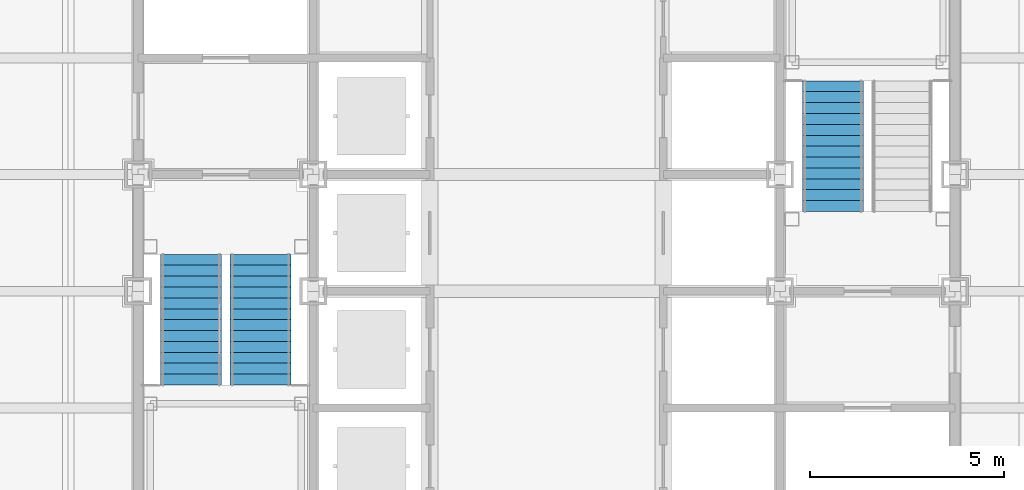
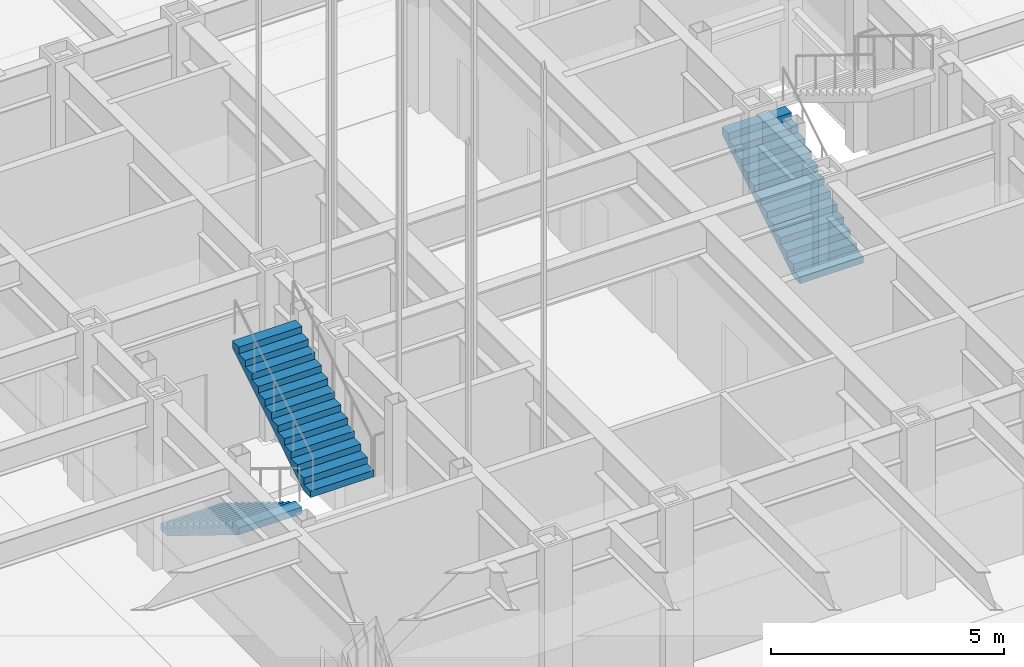
# One storey, part 13 of 26: 3 stair flights, 2 elements without a shape of their own.
"""IFC4 building model written with IfcOpenShell, lengths in metres."""

from ifc_helpers import new_model, si_unit, direction, frame, origin, place, context, subcontext, project, spatial, faceted_brep, material, type_object, element, aggregate, save


model = new_model("IFC4")

# Units and contexts
model_context = context("Model", 3, precision=1e-05, world=origin(), true_north=direction((0.0, 1.0)))
body_context = subcontext(model_context, "Body", "Model", "MODEL_VIEW")
ifc_project = project(units=[si_unit("LENGTHUNIT", "METRE"), si_unit("AREAUNIT", "SQUARE_METRE"), si_unit("VOLUMEUNIT", "CUBIC_METRE"), si_unit("PLANEANGLEUNIT", "RADIAN"), si_unit("MASSUNIT", "GRAM", prefix="KILO")], contexts=[model_context])

# Site, building, storey
site_placement = place(None, origin())
site = spatial("IfcSite", under=ifc_project, at=site_placement, CompositionType="ELEMENT")
building_placement = place(site_placement, origin())
building = spatial("IfcBuilding", under=site, at=building_placement, Name="Chuquiago Exchange Tower", CompositionType="ELEMENT")
storey_placement = place(building_placement, frame((0.0, 0.0, 102.300048828125)))
storey = spatial("IfcBuildingStorey", under=building, at=storey_placement, Name="L21", CompositionType="ELEMENT", Elevation=102.300048828125)

# Stair, stair flights
ifc_material_1 = material(Name="Concrete C30/37, precast", Category="concrete")
stair_type_1 = type_object("IfcStairType", Name="ST1 half-turn stair 4500", PredefinedType="HALF_TURN_STAIR", material=ifc_material_1)
stair_1_placement = place(storey_placement, origin())
stair_1 = element("IfcStair", 1, at=stair_1_placement, inside=storey, type_object=stair_type_1, Name="Stair ST1 L21", PredefinedType="HALF_TURN_STAIR")
ifc_material_2 = material(Name="Concrete C30/37, precast", Category="concrete")
stair_flight_type = type_object("IfcStairFlightType", Name="ST-F flight 1570 for 4500 storey", PredefinedType="STRAIGHT", material=ifc_material_2)
stair_flight_1_placement = place(storey_placement, frame((13.360107421875, 21.949951171875, 0.0), z_axis=(0.0, 0.0, 1.0), x_axis=(0.0, -1.0, 0.0)))
stair_flight_1 = element("IfcStairFlight", 2, at=stair_flight_1_placement, type_object=stair_flight_type, Name="ST1 flight 1", NumberOfRisers=13, NumberOfTreads=12, PredefinedType="STRAIGHT", RiserHeight=0.173076923, TreadLength=0.28, context=body_context, shape_type="Brep", body=[
    faceted_brep([(0.0, 0.78515625, 0.0), (0.0, 0.78515625, 0.173095703125), (0.280029296875, 0.78515625, 0.173095703125), (0.280029296875, 0.78515625, 0.34619140625), (0.56005859375, 0.78515625, 0.34619140625), (0.56005859375, 0.78515625, 0.519287109375), (0.840087890625, 0.78515625, 0.519287109375), (0.840087890625, 0.78515625, 0.6923828125), (1.1201171875, 0.78515625, 0.6923828125), (1.1201171875, 0.78515625, 0.865478515625), (1.39990234375, 0.78515625, 0.865478515625), (1.39990234375, 0.78515625, 1.03857421875), (1.679931640625, 0.78515625, 1.03857421875), (1.679931640625, 0.78515625, 1.21142578125), (1.9599609375, 0.78515625, 1.21142578125), (1.9599609375, 0.78515625, 1.384521484375), (2.239990234375, 0.78515625, 1.384521484375), (2.239990234375, 0.78515625, 1.5576171875), (2.52001953125, 0.78515625, 1.5576171875), (2.52001953125, 0.78515625, 1.730712890625), (2.800048828125, 0.78515625, 1.730712890625), (2.800048828125, 0.78515625, 1.90380859375), (3.080078125, 0.78515625, 1.90380859375), (3.080078125, 0.78515625, 2.076904296875), (3.360107421875, 0.78515625, 2.076904296875), (3.360107421875, 0.78515625, 1.900634765625), (0.28515625, 0.78515625, 0.0), (0.28515625, -0.78515625, 0.0), (3.360107421875, -0.78515625, 1.900634765625), (3.360107421875, -0.78515625, 2.076904296875), (3.080078125, -0.78515625, 2.076904296875), (3.080078125, -0.78515625, 1.90380859375), (2.800048828125, -0.78515625, 1.90380859375), (2.800048828125, -0.78515625, 1.730712890625), (2.52001953125, -0.78515625, 1.730712890625), (2.52001953125, -0.78515625, 1.5576171875), (2.239990234375, -0.78515625, 1.5576171875), (2.239990234375, -0.78515625, 1.384521484375), (1.9599609375, -0.78515625, 1.384521484375), (1.9599609375, -0.78515625, 1.21142578125), (1.679931640625, -0.78515625, 1.21142578125), (1.679931640625, -0.78515625, 1.03857421875), (1.39990234375, -0.78515625, 1.03857421875), (1.39990234375, -0.78515625, 0.865478515625), (1.1201171875, -0.78515625, 0.865478515625), (1.1201171875, -0.78515625, 0.6923828125), (0.840087890625, -0.78515625, 0.6923828125), (0.840087890625, -0.78515625, 0.519287109375), (0.56005859375, -0.78515625, 0.519287109375), (0.56005859375, -0.78515625, 0.34619140625), (0.280029296875, -0.78515625, 0.34619140625), (0.280029296875, -0.78515625, 0.173095703125), (0.0, -0.78515625, 0.173095703125), (0.0, -0.78515625, 0.0), (0.0, 0.392578125, 0.0), (0.0, 0.392578125, 0.173095703125), (0.0, 0.0, 0.0), (0.0, 0.0, 0.173095703125), (0.0, -0.392578125, 0.0), (0.0, -0.392578125, 0.173095703125), (0.280029296875, 0.392578125, 0.173095703125), (0.280029296875, 0.0, 0.173095703125), (0.280029296875, -0.392578125, 0.173095703125), (0.280029296875, 0.392578125, 0.34619140625), (0.280029296875, 0.0, 0.34619140625), (0.280029296875, -0.392578125, 0.34619140625), (0.56005859375, 0.392578125, 0.34619140625), (0.56005859375, 0.0, 0.34619140625), (0.56005859375, -0.392578125, 0.34619140625), (0.56005859375, 0.392578125, 0.519287109375), (0.56005859375, 0.0, 0.519287109375), (0.56005859375, -0.392578125, 0.519287109375), (0.840087890625, 0.392578125, 0.519287109375), (0.840087890625, 0.0, 0.519287109375), (0.840087890625, -0.392578125, 0.519287109375), (0.840087890625, 0.392578125, 0.6923828125), (0.840087890625, 0.0, 0.6923828125), (0.840087890625, -0.392578125, 0.6923828125), (1.1201171875, 0.392578125, 0.6923828125), (1.1201171875, 0.0, 0.6923828125), (1.1201171875, -0.392578125, 0.6923828125), (1.1201171875, 0.392578125, 0.865478515625), (1.1201171875, 0.0, 0.865478515625), (1.1201171875, -0.392578125, 0.865478515625), (1.39990234375, 0.392578125, 0.865478515625), (1.39990234375, 0.0, 0.865478515625), (1.39990234375, -0.392578125, 0.865478515625), (1.39990234375, 0.392578125, 1.03857421875), (1.39990234375, 0.0, 1.03857421875), (1.39990234375, -0.392578125, 1.03857421875), (1.679931640625, 0.392578125, 1.03857421875), (1.679931640625, 0.0, 1.03857421875), (1.679931640625, -0.392578125, 1.03857421875), (1.679931640625, 0.392578125, 1.21142578125), (1.679931640625, 0.0, 1.21142578125), (1.679931640625, -0.392578125, 1.21142578125), (1.9599609375, 0.392578125, 1.21142578125), (1.9599609375, 0.0, 1.21142578125), (1.9599609375, -0.392578125, 1.21142578125), (1.9599609375, 0.392578125, 1.384521484375), (1.9599609375, 0.0, 1.384521484375), (1.9599609375, -0.392578125, 1.384521484375), (2.239990234375, 0.392578125, 1.384521484375), (2.239990234375, 0.0, 1.384521484375), (2.239990234375, -0.392578125, 1.384521484375), (2.239990234375, 0.392578125, 1.5576171875), (2.239990234375, 0.0, 1.5576171875), (2.239990234375, -0.392578125, 1.5576171875), (2.52001953125, 0.392578125, 1.5576171875), (2.52001953125, 0.0, 1.5576171875), (2.52001953125, -0.392578125, 1.5576171875), (2.52001953125, 0.392578125, 1.730712890625), (2.52001953125, 0.0, 1.730712890625), (2.52001953125, -0.392578125, 1.730712890625), (2.800048828125, 0.392578125, 1.730712890625), (2.800048828125, 0.0, 1.730712890625), (2.800048828125, -0.392578125, 1.730712890625), (2.800048828125, 0.392578125, 1.90380859375), (2.800048828125, 0.0, 1.90380859375), (2.800048828125, -0.392578125, 1.90380859375), (3.080078125, 0.392578125, 1.90380859375), (3.080078125, 0.0, 1.90380859375), (3.080078125, -0.392578125, 1.90380859375), (3.080078125, 0.392578125, 2.076904296875), (3.080078125, 0.0, 2.076904296875), (3.080078125, -0.392578125, 2.076904296875), (3.360107421875, 0.392578125, 2.076904296875), (3.360107421875, 0.0, 2.076904296875), (3.360107421875, -0.392578125, 2.076904296875), (3.360107421875, 0.392578125, 1.900634765625), (3.360107421875, 0.0, 1.900634765625), (3.360107421875, -0.392578125, 1.900634765625), (0.28515625, 0.392578125, 0.0), (0.28515625, 0.0, 0.0), (0.28515625, -0.392578125, 0.0)], [[[0, 1, 2, 3, 4, 5, 6, 7, 8, 9, 10, 11, 12, 13, 14, 15, 16, 17, 18, 19, 20, 21, 22, 23, 24, 25, 26]], [[27, 28, 29, 30, 31, 32, 33, 34, 35, 36, 37, 38, 39, 40, 41, 42, 43, 44, 45, 46, 47, 48, 49, 50, 51, 52, 53]], [[1, 0, 54, 55]], [[55, 54, 56, 57]], [[57, 56, 58, 59]], [[59, 58, 53, 52]], [[2, 1, 55, 60]], [[60, 55, 57, 61]], [[61, 57, 59, 62]], [[62, 59, 52, 51]], [[3, 2, 60, 63]], [[63, 60, 61, 64]], [[64, 61, 62, 65]], [[65, 62, 51, 50]], [[4, 3, 63, 66]], [[66, 63, 64, 67]], [[67, 64, 65, 68]], [[68, 65, 50, 49]], [[5, 4, 66, 69]], [[69, 66, 67, 70]], [[70, 67, 68, 71]], [[71, 68, 49, 48]], [[6, 5, 69, 72]], [[72, 69, 70, 73]], [[73, 70, 71, 74]], [[74, 71, 48, 47]], [[7, 6, 72, 75]], [[75, 72, 73, 76]], [[76, 73, 74, 77]], [[77, 74, 47, 46]], [[8, 7, 75, 78]], [[78, 75, 76, 79]], [[79, 76, 77, 80]], [[80, 77, 46, 45]], [[9, 8, 78, 81]], [[81, 78, 79, 82]], [[82, 79, 80, 83]], [[83, 80, 45, 44]], [[10, 9, 81, 84]], [[84, 81, 82, 85]], [[85, 82, 83, 86]], [[86, 83, 44, 43]], [[11, 10, 84, 87]], [[87, 84, 85, 88]], [[88, 85, 86, 89]], [[89, 86, 43, 42]], [[12, 11, 87, 90]], [[90, 87, 88, 91]], [[91, 88, 89, 92]], [[92, 89, 42, 41]], [[13, 12, 90, 93]], [[93, 90, 91, 94]], [[94, 91, 92, 95]], [[95, 92, 41, 40]], [[14, 13, 93, 96]], [[96, 93, 94, 97]], [[97, 94, 95, 98]], [[98, 95, 40, 39]], [[15, 14, 96, 99]], [[99, 96, 97, 100]], [[100, 97, 98, 101]], [[101, 98, 39, 38]], [[16, 15, 99, 102]], [[102, 99, 100, 103]], [[103, 100, 101, 104]], [[104, 101, 38, 37]], [[17, 16, 102, 105]], [[105, 102, 103, 106]], [[106, 103, 104, 107]], [[107, 104, 37, 36]], [[18, 17, 105, 108]], [[108, 105, 106, 109]], [[109, 106, 107, 110]], [[110, 107, 36, 35]], [[19, 18, 108, 111]], [[111, 108, 109, 112]], [[112, 109, 110, 113]], [[113, 110, 35, 34]], [[20, 19, 111, 114]], [[114, 111, 112, 115]], [[115, 112, 113, 116]], [[116, 113, 34, 33]], [[21, 20, 114, 117]], [[117, 114, 115, 118]], [[118, 115, 116, 119]], [[119, 116, 33, 32]], [[22, 21, 117, 120]], [[120, 117, 118, 121]], [[121, 118, 119, 122]], [[122, 119, 32, 31]], [[23, 22, 120, 123]], [[123, 120, 121, 124]], [[124, 121, 122, 125]], [[125, 122, 31, 30]], [[24, 23, 123, 126]], [[126, 123, 124, 127]], [[127, 124, 125, 128]], [[128, 125, 30, 29]], [[25, 24, 126, 129]], [[129, 126, 127, 130]], [[130, 127, 128, 131]], [[131, 128, 29, 28]], [[26, 25, 129, 132]], [[132, 129, 130, 133]], [[133, 130, 131, 134]], [[134, 131, 28, 27]], [[0, 26, 132, 54]], [[54, 132, 133, 56]], [[56, 133, 134, 58]], [[58, 134, 27, 53]]]),
])
stair_flight_2_placement = place(storey_placement, frame((15.139892578125, 18.590087890625, 2.25), z_axis=(0.0, 0.0, 1.0), x_axis=(0.0, 1.0, 0.0)))
stair_flight_2 = element("IfcStairFlight", 3, at=stair_flight_2_placement, type_object=stair_flight_type, Name="ST1 flight 2", NumberOfRisers=13, NumberOfTreads=12, PredefinedType="STRAIGHT", RiserHeight=0.173076923, TreadLength=0.28, context=body_context, shape_type="Brep", body=[
    faceted_brep([(0.0, 0.78515625, 0.0), (0.0, 0.78515625, 0.173095703125), (0.280029296875, 0.78515625, 0.173095703125), (0.280029296875, 0.78515625, 0.34619140625), (0.56005859375, 0.78515625, 0.34619140625), (0.56005859375, 0.78515625, 0.519287109375), (0.840087890625, 0.78515625, 0.519287109375), (0.840087890625, 0.78515625, 0.6923828125), (1.1201171875, 0.78515625, 0.6923828125), (1.1201171875, 0.78515625, 0.865478515625), (1.39990234375, 0.78515625, 0.865478515625), (1.39990234375, 0.78515625, 1.03857421875), (1.679931640625, 0.78515625, 1.03857421875), (1.679931640625, 0.78515625, 1.21142578125), (1.9599609375, 0.78515625, 1.21142578125), (1.9599609375, 0.78515625, 1.384521484375), (2.239990234375, 0.78515625, 1.384521484375), (2.239990234375, 0.78515625, 1.5576171875), (2.52001953125, 0.78515625, 1.5576171875), (2.52001953125, 0.78515625, 1.730712890625), (2.800048828125, 0.78515625, 1.730712890625), (2.800048828125, 0.78515625, 1.90380859375), (3.080078125, 0.78515625, 1.90380859375), (3.080078125, 0.78515625, 2.076904296875), (3.360107421875, 0.78515625, 2.076904296875), (3.360107421875, 0.78515625, 1.900634765625), (0.28515625, 0.78515625, 0.0), (0.28515625, -0.78515625, 0.0), (3.360107421875, -0.78515625, 1.900634765625), (3.360107421875, -0.78515625, 2.076904296875), (3.080078125, -0.78515625, 2.076904296875), (3.080078125, -0.78515625, 1.90380859375), (2.800048828125, -0.78515625, 1.90380859375), (2.800048828125, -0.78515625, 1.730712890625), (2.52001953125, -0.78515625, 1.730712890625), (2.52001953125, -0.78515625, 1.5576171875), (2.239990234375, -0.78515625, 1.5576171875), (2.239990234375, -0.78515625, 1.384521484375), (1.9599609375, -0.78515625, 1.384521484375), (1.9599609375, -0.78515625, 1.21142578125), (1.679931640625, -0.78515625, 1.21142578125), (1.679931640625, -0.78515625, 1.03857421875), (1.39990234375, -0.78515625, 1.03857421875), (1.39990234375, -0.78515625, 0.865478515625), (1.1201171875, -0.78515625, 0.865478515625), (1.1201171875, -0.78515625, 0.6923828125), (0.840087890625, -0.78515625, 0.6923828125), (0.840087890625, -0.78515625, 0.519287109375), (0.56005859375, -0.78515625, 0.519287109375), (0.56005859375, -0.78515625, 0.34619140625), (0.280029296875, -0.78515625, 0.34619140625), (0.280029296875, -0.78515625, 0.173095703125), (0.0, -0.78515625, 0.173095703125), (0.0, -0.78515625, 0.0), (0.0, 0.392578125, 0.0), (0.0, 0.392578125, 0.173095703125), (0.0, 0.0, 0.0), (0.0, 0.0, 0.173095703125), (0.0, -0.392578125, 0.0), (0.0, -0.392578125, 0.173095703125), (0.280029296875, 0.392578125, 0.173095703125), (0.280029296875, 0.0, 0.173095703125), (0.280029296875, -0.392578125, 0.173095703125), (0.280029296875, 0.392578125, 0.34619140625), (0.280029296875, 0.0, 0.34619140625), (0.280029296875, -0.392578125, 0.34619140625), (0.56005859375, 0.392578125, 0.34619140625), (0.56005859375, 0.0, 0.34619140625), (0.56005859375, -0.392578125, 0.34619140625), (0.56005859375, 0.392578125, 0.519287109375), (0.56005859375, 0.0, 0.519287109375), (0.56005859375, -0.392578125, 0.519287109375), (0.840087890625, 0.392578125, 0.519287109375), (0.840087890625, 0.0, 0.519287109375), (0.840087890625, -0.392578125, 0.519287109375), (0.840087890625, 0.392578125, 0.6923828125), (0.840087890625, 0.0, 0.6923828125), (0.840087890625, -0.392578125, 0.6923828125), (1.1201171875, 0.392578125, 0.6923828125), (1.1201171875, 0.0, 0.6923828125), (1.1201171875, -0.392578125, 0.6923828125), (1.1201171875, 0.392578125, 0.865478515625), (1.1201171875, 0.0, 0.865478515625), (1.1201171875, -0.392578125, 0.865478515625), (1.39990234375, 0.392578125, 0.865478515625), (1.39990234375, 0.0, 0.865478515625), (1.39990234375, -0.392578125, 0.865478515625), (1.39990234375, 0.392578125, 1.03857421875), (1.39990234375, 0.0, 1.03857421875), (1.39990234375, -0.392578125, 1.03857421875), (1.679931640625, 0.392578125, 1.03857421875), (1.679931640625, 0.0, 1.03857421875), (1.679931640625, -0.392578125, 1.03857421875), (1.679931640625, 0.392578125, 1.21142578125), (1.679931640625, 0.0, 1.21142578125), (1.679931640625, -0.392578125, 1.21142578125), (1.9599609375, 0.392578125, 1.21142578125), (1.9599609375, 0.0, 1.21142578125), (1.9599609375, -0.392578125, 1.21142578125), (1.9599609375, 0.392578125, 1.384521484375), (1.9599609375, 0.0, 1.384521484375), (1.9599609375, -0.392578125, 1.384521484375), (2.239990234375, 0.392578125, 1.384521484375), (2.239990234375, 0.0, 1.384521484375), (2.239990234375, -0.392578125, 1.384521484375), (2.239990234375, 0.392578125, 1.5576171875), (2.239990234375, 0.0, 1.5576171875), (2.239990234375, -0.392578125, 1.5576171875), (2.52001953125, 0.392578125, 1.5576171875), (2.52001953125, 0.0, 1.5576171875), (2.52001953125, -0.392578125, 1.5576171875), (2.52001953125, 0.392578125, 1.730712890625), (2.52001953125, 0.0, 1.730712890625), (2.52001953125, -0.392578125, 1.730712890625), (2.800048828125, 0.392578125, 1.730712890625), (2.800048828125, 0.0, 1.730712890625), (2.800048828125, -0.392578125, 1.730712890625), (2.800048828125, 0.392578125, 1.90380859375), (2.800048828125, 0.0, 1.90380859375), (2.800048828125, -0.392578125, 1.90380859375), (3.080078125, 0.392578125, 1.90380859375), (3.080078125, 0.0, 1.90380859375), (3.080078125, -0.392578125, 1.90380859375), (3.080078125, 0.392578125, 2.076904296875), (3.080078125, 0.0, 2.076904296875), (3.080078125, -0.392578125, 2.076904296875), (3.360107421875, 0.392578125, 2.076904296875), (3.360107421875, 0.0, 2.076904296875), (3.360107421875, -0.392578125, 2.076904296875), (3.360107421875, 0.392578125, 1.900634765625), (3.360107421875, 0.0, 1.900634765625), (3.360107421875, -0.392578125, 1.900634765625), (0.28515625, 0.392578125, 0.0), (0.28515625, 0.0, 0.0), (0.28515625, -0.392578125, 0.0)], [[[0, 1, 2, 3, 4, 5, 6, 7, 8, 9, 10, 11, 12, 13, 14, 15, 16, 17, 18, 19, 20, 21, 22, 23, 24, 25, 26]], [[27, 28, 29, 30, 31, 32, 33, 34, 35, 36, 37, 38, 39, 40, 41, 42, 43, 44, 45, 46, 47, 48, 49, 50, 51, 52, 53]], [[1, 0, 54, 55]], [[55, 54, 56, 57]], [[57, 56, 58, 59]], [[59, 58, 53, 52]], [[2, 1, 55, 60]], [[60, 55, 57, 61]], [[61, 57, 59, 62]], [[62, 59, 52, 51]], [[3, 2, 60, 63]], [[63, 60, 61, 64]], [[64, 61, 62, 65]], [[65, 62, 51, 50]], [[4, 3, 63, 66]], [[66, 63, 64, 67]], [[67, 64, 65, 68]], [[68, 65, 50, 49]], [[5, 4, 66, 69]], [[69, 66, 67, 70]], [[70, 67, 68, 71]], [[71, 68, 49, 48]], [[6, 5, 69, 72]], [[72, 69, 70, 73]], [[73, 70, 71, 74]], [[74, 71, 48, 47]], [[7, 6, 72, 75]], [[75, 72, 73, 76]], [[76, 73, 74, 77]], [[77, 74, 47, 46]], [[8, 7, 75, 78]], [[78, 75, 76, 79]], [[79, 76, 77, 80]], [[80, 77, 46, 45]], [[9, 8, 78, 81]], [[81, 78, 79, 82]], [[82, 79, 80, 83]], [[83, 80, 45, 44]], [[10, 9, 81, 84]], [[84, 81, 82, 85]], [[85, 82, 83, 86]], [[86, 83, 44, 43]], [[11, 10, 84, 87]], [[87, 84, 85, 88]], [[88, 85, 86, 89]], [[89, 86, 43, 42]], [[12, 11, 87, 90]], [[90, 87, 88, 91]], [[91, 88, 89, 92]], [[92, 89, 42, 41]], [[13, 12, 90, 93]], [[93, 90, 91, 94]], [[94, 91, 92, 95]], [[95, 92, 41, 40]], [[14, 13, 93, 96]], [[96, 93, 94, 97]], [[97, 94, 95, 98]], [[98, 95, 40, 39]], [[15, 14, 96, 99]], [[99, 96, 97, 100]], [[100, 97, 98, 101]], [[101, 98, 39, 38]], [[16, 15, 99, 102]], [[102, 99, 100, 103]], [[103, 100, 101, 104]], [[104, 101, 38, 37]], [[17, 16, 102, 105]], [[105, 102, 103, 106]], [[106, 103, 104, 107]], [[107, 104, 37, 36]], [[18, 17, 105, 108]], [[108, 105, 106, 109]], [[109, 106, 107, 110]], [[110, 107, 36, 35]], [[19, 18, 108, 111]], [[111, 108, 109, 112]], [[112, 109, 110, 113]], [[113, 110, 35, 34]], [[20, 19, 111, 114]], [[114, 111, 112, 115]], [[115, 112, 113, 116]], [[116, 113, 34, 33]], [[21, 20, 114, 117]], [[117, 114, 115, 118]], [[118, 115, 116, 119]], [[119, 116, 33, 32]], [[22, 21, 117, 120]], [[120, 117, 118, 121]], [[121, 118, 119, 122]], [[122, 119, 32, 31]], [[23, 22, 120, 123]], [[123, 120, 121, 124]], [[124, 121, 122, 125]], [[125, 122, 31, 30]], [[24, 23, 123, 126]], [[126, 123, 124, 127]], [[127, 124, 125, 128]], [[128, 125, 30, 29]], [[25, 24, 126, 129]], [[129, 126, 127, 130]], [[130, 127, 128, 131]], [[131, 128, 29, 28]], [[26, 25, 129, 132]], [[132, 129, 130, 133]], [[133, 130, 131, 134]], [[134, 131, 28, 27]], [[0, 26, 132, 54]], [[54, 132, 133, 56]], [[56, 133, 134, 58]], [[58, 134, 27, 53]]]),
])
aggregate(stair_1, [stair_flight_1, stair_flight_2])

# Stair, stair flight
ifc_material_3 = material(Name="Concrete C30/37, precast", Category="concrete")
stair_type_2 = type_object("IfcStairType", Name="ST2 half-turn stair 4500", PredefinedType="HALF_TURN_STAIR", material=ifc_material_3)
stair_2_placement = place(storey_placement, origin())
stair_2 = element("IfcStair", 4, at=stair_2_placement, inside=storey, type_object=stair_type_2, Name="Stair ST2 L21", PredefinedType="HALF_TURN_STAIR")
stair_flight_3_placement = place(storey_placement, frame((29.860107421875, 23.050048828125, 0.0), z_axis=(0.0, 0.0, 1.0), x_axis=(0.0, 1.0, 0.0)))
stair_flight_3 = element("IfcStairFlight", 5, at=stair_flight_3_placement, type_object=stair_flight_type, Name="ST2 flight 1", NumberOfRisers=13, NumberOfTreads=12, PredefinedType="STRAIGHT", RiserHeight=0.173076923, TreadLength=0.28, context=body_context, shape_type="Brep", body=[
    faceted_brep([(0.0, 0.78515625, 0.0), (0.0, 0.78515625, 0.173095703125), (0.280029296875, 0.78515625, 0.173095703125), (0.280029296875, 0.78515625, 0.34619140625), (0.56005859375, 0.78515625, 0.34619140625), (0.56005859375, 0.78515625, 0.519287109375), (0.840087890625, 0.78515625, 0.519287109375), (0.840087890625, 0.78515625, 0.6923828125), (1.1201171875, 0.78515625, 0.6923828125), (1.1201171875, 0.78515625, 0.865478515625), (1.39990234375, 0.78515625, 0.865478515625), (1.39990234375, 0.78515625, 1.03857421875), (1.679931640625, 0.78515625, 1.03857421875), (1.679931640625, 0.78515625, 1.21142578125), (1.9599609375, 0.78515625, 1.21142578125), (1.9599609375, 0.78515625, 1.384521484375), (2.239990234375, 0.78515625, 1.384521484375), (2.239990234375, 0.78515625, 1.5576171875), (2.52001953125, 0.78515625, 1.5576171875), (2.52001953125, 0.78515625, 1.730712890625), (2.800048828125, 0.78515625, 1.730712890625), (2.800048828125, 0.78515625, 1.90380859375), (3.080078125, 0.78515625, 1.90380859375), (3.080078125, 0.78515625, 2.076904296875), (3.360107421875, 0.78515625, 2.076904296875), (3.360107421875, 0.78515625, 1.900634765625), (0.28515625, 0.78515625, 0.0), (0.28515625, -0.78515625, 0.0), (3.360107421875, -0.78515625, 1.900634765625), (3.360107421875, -0.78515625, 2.076904296875), (3.080078125, -0.78515625, 2.076904296875), (3.080078125, -0.78515625, 1.90380859375), (2.800048828125, -0.78515625, 1.90380859375), (2.800048828125, -0.78515625, 1.730712890625), (2.52001953125, -0.78515625, 1.730712890625), (2.52001953125, -0.78515625, 1.5576171875), (2.239990234375, -0.78515625, 1.5576171875), (2.239990234375, -0.78515625, 1.384521484375), (1.9599609375, -0.78515625, 1.384521484375), (1.9599609375, -0.78515625, 1.21142578125), (1.679931640625, -0.78515625, 1.21142578125), (1.679931640625, -0.78515625, 1.03857421875), (1.39990234375, -0.78515625, 1.03857421875), (1.39990234375, -0.78515625, 0.865478515625), (1.1201171875, -0.78515625, 0.865478515625), (1.1201171875, -0.78515625, 0.6923828125), (0.840087890625, -0.78515625, 0.6923828125), (0.840087890625, -0.78515625, 0.519287109375), (0.56005859375, -0.78515625, 0.519287109375), (0.56005859375, -0.78515625, 0.34619140625), (0.280029296875, -0.78515625, 0.34619140625), (0.280029296875, -0.78515625, 0.173095703125), (0.0, -0.78515625, 0.173095703125), (0.0, -0.78515625, 0.0), (0.0, 0.392578125, 0.0), (0.0, 0.392578125, 0.173095703125), (0.0, 0.0, 0.0), (0.0, 0.0, 0.173095703125), (0.0, -0.392578125, 0.0), (0.0, -0.392578125, 0.173095703125), (0.280029296875, 0.392578125, 0.173095703125), (0.280029296875, 0.0, 0.173095703125), (0.280029296875, -0.392578125, 0.173095703125), (0.280029296875, 0.392578125, 0.34619140625), (0.280029296875, 0.0, 0.34619140625), (0.280029296875, -0.392578125, 0.34619140625), (0.56005859375, 0.392578125, 0.34619140625), (0.56005859375, 0.0, 0.34619140625), (0.56005859375, -0.392578125, 0.34619140625), (0.56005859375, 0.392578125, 0.519287109375), (0.56005859375, 0.0, 0.519287109375), (0.56005859375, -0.392578125, 0.519287109375), (0.840087890625, 0.392578125, 0.519287109375), (0.840087890625, 0.0, 0.519287109375), (0.840087890625, -0.392578125, 0.519287109375), (0.840087890625, 0.392578125, 0.6923828125), (0.840087890625, 0.0, 0.6923828125), (0.840087890625, -0.392578125, 0.6923828125), (1.1201171875, 0.392578125, 0.6923828125), (1.1201171875, 0.0, 0.6923828125), (1.1201171875, -0.392578125, 0.6923828125), (1.1201171875, 0.392578125, 0.865478515625), (1.1201171875, 0.0, 0.865478515625), (1.1201171875, -0.392578125, 0.865478515625), (1.39990234375, 0.392578125, 0.865478515625), (1.39990234375, 0.0, 0.865478515625), (1.39990234375, -0.392578125, 0.865478515625), (1.39990234375, 0.392578125, 1.03857421875), (1.39990234375, 0.0, 1.03857421875), (1.39990234375, -0.392578125, 1.03857421875), (1.679931640625, 0.392578125, 1.03857421875), (1.679931640625, 0.0, 1.03857421875), (1.679931640625, -0.392578125, 1.03857421875), (1.679931640625, 0.392578125, 1.21142578125), (1.679931640625, 0.0, 1.21142578125), (1.679931640625, -0.392578125, 1.21142578125), (1.9599609375, 0.392578125, 1.21142578125), (1.9599609375, 0.0, 1.21142578125), (1.9599609375, -0.392578125, 1.21142578125), (1.9599609375, 0.392578125, 1.384521484375), (1.9599609375, 0.0, 1.384521484375), (1.9599609375, -0.392578125, 1.384521484375), (2.239990234375, 0.392578125, 1.384521484375), (2.239990234375, 0.0, 1.384521484375), (2.239990234375, -0.392578125, 1.384521484375), (2.239990234375, 0.392578125, 1.5576171875), (2.239990234375, 0.0, 1.5576171875), (2.239990234375, -0.392578125, 1.5576171875), (2.52001953125, 0.392578125, 1.5576171875), (2.52001953125, 0.0, 1.5576171875), (2.52001953125, -0.392578125, 1.5576171875), (2.52001953125, 0.392578125, 1.730712890625), (2.52001953125, 0.0, 1.730712890625), (2.52001953125, -0.392578125, 1.730712890625), (2.800048828125, 0.392578125, 1.730712890625), (2.800048828125, 0.0, 1.730712890625), (2.800048828125, -0.392578125, 1.730712890625), (2.800048828125, 0.392578125, 1.90380859375), (2.800048828125, 0.0, 1.90380859375), (2.800048828125, -0.392578125, 1.90380859375), (3.080078125, 0.392578125, 1.90380859375), (3.080078125, 0.0, 1.90380859375), (3.080078125, -0.392578125, 1.90380859375), (3.080078125, 0.392578125, 2.076904296875), (3.080078125, 0.0, 2.076904296875), (3.080078125, -0.392578125, 2.076904296875), (3.360107421875, 0.392578125, 2.076904296875), (3.360107421875, 0.0, 2.076904296875), (3.360107421875, -0.392578125, 2.076904296875), (3.360107421875, 0.392578125, 1.900634765625), (3.360107421875, 0.0, 1.900634765625), (3.360107421875, -0.392578125, 1.900634765625), (0.28515625, 0.392578125, 0.0), (0.28515625, 0.0, 0.0), (0.28515625, -0.392578125, 0.0)], [[[0, 1, 2, 3, 4, 5, 6, 7, 8, 9, 10, 11, 12, 13, 14, 15, 16, 17, 18, 19, 20, 21, 22, 23, 24, 25, 26]], [[27, 28, 29, 30, 31, 32, 33, 34, 35, 36, 37, 38, 39, 40, 41, 42, 43, 44, 45, 46, 47, 48, 49, 50, 51, 52, 53]], [[1, 0, 54, 55]], [[55, 54, 56, 57]], [[57, 56, 58, 59]], [[59, 58, 53, 52]], [[2, 1, 55, 60]], [[60, 55, 57, 61]], [[61, 57, 59, 62]], [[62, 59, 52, 51]], [[3, 2, 60, 63]], [[63, 60, 61, 64]], [[64, 61, 62, 65]], [[65, 62, 51, 50]], [[4, 3, 63, 66]], [[66, 63, 64, 67]], [[67, 64, 65, 68]], [[68, 65, 50, 49]], [[5, 4, 66, 69]], [[69, 66, 67, 70]], [[70, 67, 68, 71]], [[71, 68, 49, 48]], [[6, 5, 69, 72]], [[72, 69, 70, 73]], [[73, 70, 71, 74]], [[74, 71, 48, 47]], [[7, 6, 72, 75]], [[75, 72, 73, 76]], [[76, 73, 74, 77]], [[77, 74, 47, 46]], [[8, 7, 75, 78]], [[78, 75, 76, 79]], [[79, 76, 77, 80]], [[80, 77, 46, 45]], [[9, 8, 78, 81]], [[81, 78, 79, 82]], [[82, 79, 80, 83]], [[83, 80, 45, 44]], [[10, 9, 81, 84]], [[84, 81, 82, 85]], [[85, 82, 83, 86]], [[86, 83, 44, 43]], [[11, 10, 84, 87]], [[87, 84, 85, 88]], [[88, 85, 86, 89]], [[89, 86, 43, 42]], [[12, 11, 87, 90]], [[90, 87, 88, 91]], [[91, 88, 89, 92]], [[92, 89, 42, 41]], [[13, 12, 90, 93]], [[93, 90, 91, 94]], [[94, 91, 92, 95]], [[95, 92, 41, 40]], [[14, 13, 93, 96]], [[96, 93, 94, 97]], [[97, 94, 95, 98]], [[98, 95, 40, 39]], [[15, 14, 96, 99]], [[99, 96, 97, 100]], [[100, 97, 98, 101]], [[101, 98, 39, 38]], [[16, 15, 99, 102]], [[102, 99, 100, 103]], [[103, 100, 101, 104]], [[104, 101, 38, 37]], [[17, 16, 102, 105]], [[105, 102, 103, 106]], [[106, 103, 104, 107]], [[107, 104, 37, 36]], [[18, 17, 105, 108]], [[108, 105, 106, 109]], [[109, 106, 107, 110]], [[110, 107, 36, 35]], [[19, 18, 108, 111]], [[111, 108, 109, 112]], [[112, 109, 110, 113]], [[113, 110, 35, 34]], [[20, 19, 111, 114]], [[114, 111, 112, 115]], [[115, 112, 113, 116]], [[116, 113, 34, 33]], [[21, 20, 114, 117]], [[117, 114, 115, 118]], [[118, 115, 116, 119]], [[119, 116, 33, 32]], [[22, 21, 117, 120]], [[120, 117, 118, 121]], [[121, 118, 119, 122]], [[122, 119, 32, 31]], [[23, 22, 120, 123]], [[123, 120, 121, 124]], [[124, 121, 122, 125]], [[125, 122, 31, 30]], [[24, 23, 123, 126]], [[126, 123, 124, 127]], [[127, 124, 125, 128]], [[128, 125, 30, 29]], [[25, 24, 126, 129]], [[129, 126, 127, 130]], [[130, 127, 128, 131]], [[131, 128, 29, 28]], [[26, 25, 129, 132]], [[132, 129, 130, 133]], [[133, 130, 131, 134]], [[134, 131, 28, 27]], [[0, 26, 132, 54]], [[54, 132, 133, 56]], [[56, 133, 134, 58]], [[58, 134, 27, 53]]]),
])
aggregate(stair_2, [stair_flight_3])

save(model, "model.ifc")
